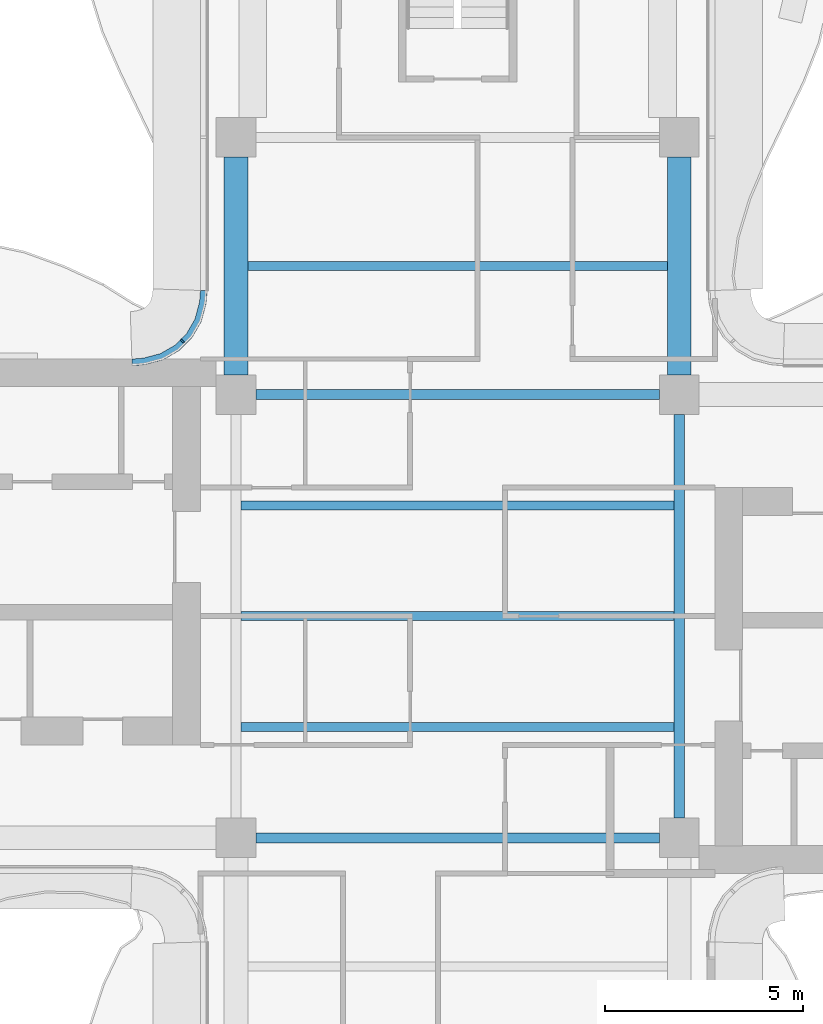
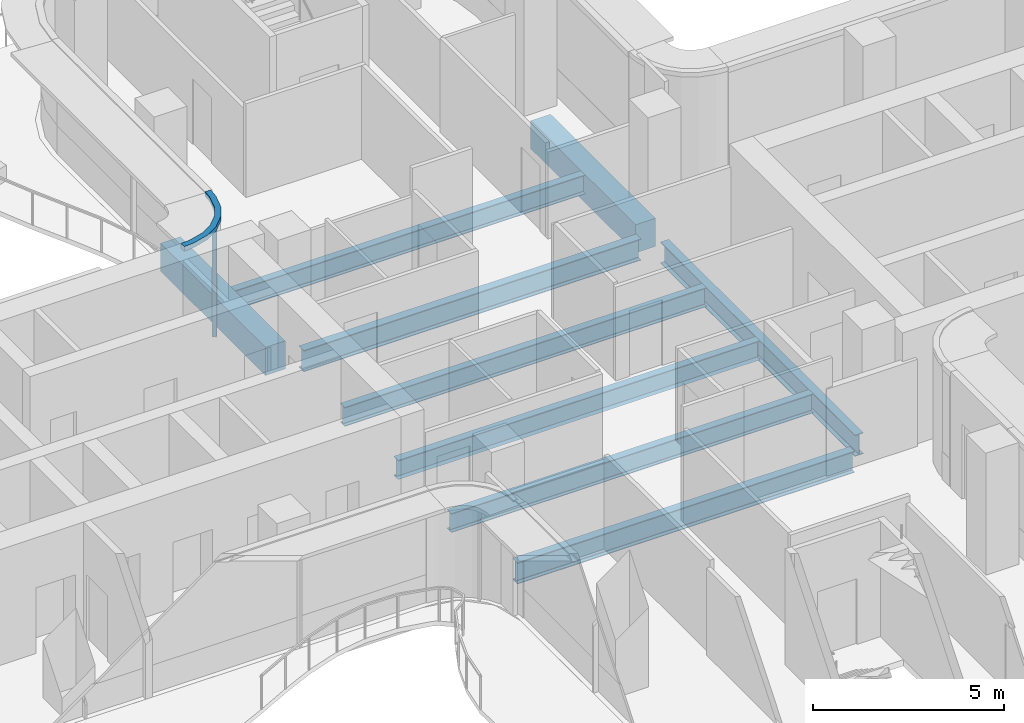
# One storey, part 4 of 16: 9 beams, 2 members, 1 element without a shape of its own.
"""IFC4 building model written with IfcOpenShell, lengths in metres."""

import ifcopenshell
import ifcopenshell.guid

model = None  # the IFC model being written
_history = None  # IfcOwnerHistory: only IFC2X3 demands one
_inside = {}  # id of a spatial element -> (the spatial element, [elements in it])
_under = {}  # id of a project, library or spatial element -> (it, [spatial elements below it])
_declared = {}  # id of a project -> (the project, [libraries it declares])
_typed = {}  # id of a type object -> (the type object, [elements of that type])
_made_of = {}  # id of a material, layer set ... -> (it, [elements and type objects made of it])


def new_model(schema):
    """Start an empty IFC model of exactly this schema.

    Asked for "IFC4X3", IfcOpenShell would pick the latest addendum, in which some entities
    have other attributes; the version numbers below select the first issue.
    IFC2X3 requires an IfcOwnerHistory on every rooted entity: one is made here for all.
    """
    global model, _history
    if schema == "IFC4X3":
        model = ifcopenshell.file(schema_version=(4, 3, 0, 0))
    else:
        model = ifcopenshell.file(schema=schema)
    _inside.clear()
    _under.clear()
    _declared.clear()
    _typed.clear()
    _made_of.clear()
    _history = None
    if model.schema == "IFC2X3":
        org = make("IfcOrganization", Name="unknown")
        user = make(
            "IfcPersonAndOrganization",
            ThePerson=make("IfcPerson", FamilyName="unknown"),
            TheOrganization=org,
        )
        app = make(
            "IfcApplication",
            ApplicationDeveloper=org,
            Version="unknown",
            ApplicationFullName="unknown",
            ApplicationIdentifier="unknown",
        )
        _history = make(
            "IfcOwnerHistory",
            OwningUser=user,
            OwningApplication=app,
            ChangeAction="ADDED",
            CreationDate=0,
        )
    return model


def make(cls, **values):
    """One entity of the class cls with the attributes given. An attribute that is None is left unset."""
    return model.create_entity(
        cls, **{name: value for name, value in values.items() if value is not None}
    )


def rooted(cls, **values):
    """An entity with a GlobalId (a new one), such as an element, a storey or a relation."""
    return make(cls, GlobalId=ifcopenshell.guid.new(), OwnerHistory=_history, **values)


def si_unit(unit_type, name, prefix=None):
    """IfcSIUnit, for example si_unit("LENGTHUNIT", "METRE", prefix="MILLI")."""
    return make("IfcSIUnit", UnitType=unit_type, Prefix=prefix, Name=name)


def assignment(units):
    """IfcUnitAssignment: the units of a project."""
    return None if units is None else make("IfcUnitAssignment", Units=units)


def point(xyz):
    """IfcCartesianPoint."""
    return None if xyz is None else make("IfcCartesianPoint", Coordinates=xyz)


def direction(xyz):
    """IfcDirection."""
    return None if xyz is None else make("IfcDirection", DirectionRatios=xyz)


def frame(location, z_axis=None, x_axis=None):
    """IfcAxis2Placement3D, a coordinate frame: its origin and axes. An axis left out is left unset."""
    return make(
        "IfcAxis2Placement3D",
        Location=point(location),
        Axis=direction(z_axis),
        RefDirection=direction(x_axis),
    )


def frame_2d(location, x_axis=None):
    """IfcAxis2Placement2D, a coordinate frame in the plane: its origin and x axis."""
    return make(
        "IfcAxis2Placement2D", Location=point(location), RefDirection=direction(x_axis)
    )


def origin():
    """The frame at (0, 0, 0) with its axes left unset."""
    return frame((0.0, 0.0, 0.0))


def origin_2d():
    """The frame at (0, 0) in the plane with its x axis left unset."""
    return frame_2d((0.0, 0.0))


def place(relative_to, where):
    """IfcLocalPlacement: puts the frame where relative to a parent placement (None: the world)."""
    return make(
        "IfcLocalPlacement", PlacementRelTo=relative_to, RelativePlacement=where
    )


def context(
    kind, dimensions, precision=None, world=None, true_north=None, identifier=None
):
    """IfcGeometricRepresentationContext, for example the 3D "Model" context."""
    return make(
        "IfcGeometricRepresentationContext",
        ContextIdentifier=identifier,
        ContextType=kind,
        CoordinateSpaceDimension=dimensions,
        Precision=precision,
        WorldCoordinateSystem=world,
        TrueNorth=true_north,
    )


def subcontext(parent, identifier, kind, view, scale=None):
    """IfcGeometricRepresentationSubContext, for example "Body" below "Model"."""
    return make(
        "IfcGeometricRepresentationSubContext",
        ContextIdentifier=identifier,
        ContextType=kind,
        ParentContext=parent,
        TargetScale=scale,
        TargetView=view,
    )


def project(units=None, contexts=None):
    """IfcProject with its units and contexts."""
    return rooted(
        "IfcProject",
        Name="project",
        RepresentationContexts=contexts,
        UnitsInContext=assignment(units),
    )


def spatial(cls, under=None, at=None, **own):
    """A site, building, storey or space (cls), placed at a placement, below another one or the project."""
    s = rooted(cls, ObjectPlacement=at, **own)
    if under is not None:
        _under.setdefault(under.id(), (under, []))[1].append(s)
    return s


def polyline(points):
    """IfcPolyline through the points."""
    return make("IfcPolyline", Points=[point(p) for p in points])


def profile(cls, at=None, kind="AREA", **sizes):
    """A parametric profile (cls). Its sizes go by their IFC names, for example OverallWidth=200.0."""
    return make(cls, ProfileType=kind, Position=at, **sizes)


def rectangle(**sizes):
    """IfcRectangleProfileDef."""
    return profile("IfcRectangleProfileDef", **sizes)


def i_section(**sizes):
    """IfcIShapeProfileDef."""
    return profile("IfcIShapeProfileDef", **sizes)


def outline(outer, holes=None, kind="AREA"):
    """IfcArbitraryClosedProfileDef: a profile drawn as a closed curve; with holes, ...WithVoids."""
    if holes is None:
        return make("IfcArbitraryClosedProfileDef", ProfileType=kind, OuterCurve=outer)
    return make(
        "IfcArbitraryProfileDefWithVoids",
        ProfileType=kind,
        OuterCurve=outer,
        InnerCurves=holes,
    )


def extrude(swept, where, along, depth):
    """IfcExtrudedAreaSolid: the profile swept, set in the frame where, extruded along a direction by depth."""
    return make(
        "IfcExtrudedAreaSolid",
        SweptArea=swept,
        Position=where,
        ExtrudedDirection=direction(along),
        Depth=depth,
    )


def shape(context_of_items, identifier, shape_type, items):
    """IfcShapeRepresentation: the items that make up one representation, for example the "Body"."""
    return make(
        "IfcShapeRepresentation",
        ContextOfItems=context_of_items,
        RepresentationIdentifier=identifier,
        RepresentationType=shape_type,
        Items=items,
    )


def source(mapping_origin, context_of_items, identifier, shape_type, items):
    """IfcRepresentationMap: a shape defined once, which mapped items show again and again."""
    return make(
        "IfcRepresentationMap",
        MappingOrigin=mapping_origin,
        MappedRepresentation=shape(context_of_items, identifier, shape_type, items),
    )


def transform(
    local_origin,
    x_axis=None,
    y_axis=None,
    z_axis=None,
    scale=None,
    scale2=None,
    scale3=None,
    uniform=True,
):
    """IfcCartesianTransformationOperator3D, or its non-uniform kind. x_axis, y_axis, z_axis: its Axis1, 2, 3."""
    if uniform:
        return make(
            "IfcCartesianTransformationOperator3D",
            Axis1=direction(x_axis),
            Axis2=direction(y_axis),
            LocalOrigin=point(local_origin),
            Scale=scale,
            Axis3=direction(z_axis),
        )
    return make(
        "IfcCartesianTransformationOperator3DnonUniform",
        Axis1=direction(x_axis),
        Axis2=direction(y_axis),
        LocalOrigin=point(local_origin),
        Scale=scale,
        Axis3=direction(z_axis),
        Scale2=scale2,
        Scale3=scale3,
    )


def mapped(mapping_source, mapping_target):
    """IfcMappedItem: shows the shape of a source again, moved by a transform."""
    return make(
        "IfcMappedItem", MappingSource=mapping_source, MappingTarget=mapping_target
    )


def material(Name=None, Category=None):
    """IfcMaterial."""
    return make("IfcMaterial", Name=Name, Category=Category)


def layer(
    of_material, thickness, ventilated=None, Name=None, Category=None, Priority=None
):
    """IfcMaterialLayer: one layer of a wall or slab, of a material (None: an air gap)."""
    return make(
        "IfcMaterialLayer",
        Material=of_material,
        LayerThickness=thickness,
        IsVentilated=ventilated,
        Name=Name,
        Category=Category,
        Priority=Priority,
    )


def layer_set(layers, Name=None):
    """IfcMaterialLayerSet."""
    return make("IfcMaterialLayerSet", MaterialLayers=layers, LayerSetName=Name)


def material_profile(
    of_material, cross_section, Name=None, Category=None, Priority=None
):
    """IfcMaterialProfile: a cross section and its material."""
    return make(
        "IfcMaterialProfile",
        Name=Name,
        Material=of_material,
        Profile=cross_section,
        Priority=Priority,
        Category=Category,
    )


def profile_set(profiles, Name=None, composite=None):
    """IfcMaterialProfileSet."""
    return make(
        "IfcMaterialProfileSet",
        Name=Name,
        MaterialProfiles=profiles,
        CompositeProfile=composite,
    )


def made_of(thing, what):
    """Note that an element or type object is made of a material, layer set ...; save() writes the relation."""
    if what is not None:
        _made_of.setdefault(what.id(), (what, []))[1].append(thing)
    return thing


def type_object(cls, material=None, **own):
    """A type object (cls), such as IfcWallType, which elements share."""
    return made_of(rooted(cls, **own), material)


def element(
    cls,
    number,
    at=None,
    inside=None,
    cuts=None,
    type_object=None,
    material=None,
    context=None,
    identifier="Body",
    shape_type=None,
    held_by="IfcProductDefinitionShape",
    body=None,
    shapes=None,
    **own,
):
    """One element of the class cls, such as IfcWall. Its Tag is "e" and its number.

    at: its placement. inside: the storey or other place that contains it. cuts: it is an
    opening in that element (IfcRelVoidsElement). A single representation is given by context,
    identifier, shape_type and body (its items); several are given by shapes. held_by: the class
    of the entity that holds the representations. save() writes the other relations.
    """
    e = rooted(cls, Tag="e%d" % number, ObjectPlacement=at, **own)
    if body is not None:
        shapes = [shape(context, identifier, shape_type, body)]
    if shapes is not None:
        e.Representation = make(held_by, Representations=shapes)
    if inside is not None:
        _inside.setdefault(inside.id(), (inside, []))[1].append(e)
    if cuts is not None:
        rooted(
            "IfcRelVoidsElement", RelatingBuildingElement=cuts, RelatedOpeningElement=e
        )
    if type_object is not None:
        _typed.setdefault(type_object.id(), (type_object, []))[1].append(e)
    return made_of(e, material)


def aggregate(whole, parts):
    """IfcRelAggregates: a whole, such as a stair, and the parts it consists of."""
    return rooted("IfcRelAggregates", RelatingObject=whole, RelatedObjects=parts)


def save(model, path):
    """Write the relations noted so far, then the file.

    IfcRelAggregates (storeys below a building ...), IfcRelContainedInSpatialStructure (elements
    in a storey), IfcRelDefinesByType, IfcRelAssociatesMaterial and IfcRelDeclares: one each for
    every whole, place, type object, material and project.
    """
    for whole, parts in _under.values():
        aggregate(whole, parts)
    for where, things in _inside.values():
        rooted(
            "IfcRelContainedInSpatialStructure",
            RelatedElements=things,
            RelatingStructure=where,
        )
    for kind, things in _typed.values():
        rooted("IfcRelDefinesByType", RelatedObjects=things, RelatingType=kind)
    for what, things in _made_of.values():
        rooted("IfcRelAssociatesMaterial", RelatedObjects=things, RelatingMaterial=what)
    for by, libraries in _declared.values():
        rooted("IfcRelDeclares", RelatingContext=by, RelatedDefinitions=libraries)
    model.write(path)


model = new_model("IFC4")

# Units and contexts
model_context = context("Model", 3, precision=1e-05, world=origin(), true_north=direction((0.0, 1.0)))
body_context = subcontext(model_context, "Body", "Model", "MODEL_VIEW")
ifc_project = project(units=[si_unit("LENGTHUNIT", "METRE"), si_unit("AREAUNIT", "SQUARE_METRE"), si_unit("VOLUMEUNIT", "CUBIC_METRE"), si_unit("PLANEANGLEUNIT", "RADIAN"), si_unit("MASSUNIT", "GRAM", prefix="KILO")], contexts=[model_context])

# Site, building, storey
site_placement = place(None, origin())
site = spatial("IfcSite", under=ifc_project, at=site_placement, CompositionType="ELEMENT")
building_placement = place(site_placement, origin())
building = spatial("IfcBuilding", under=site, at=building_placement, Name="Trellis Farm Tower", CompositionType="ELEMENT")
storey_placement = place(building_placement, frame((0.0, 0.0, 314.5)))
storey = spatial("IfcBuildingStorey", under=building, at=storey_placement, Name="L71", CompositionType="ELEMENT", Elevation=314.5)

# Beams
ifc_material_1 = material(Name="Steel S355", Category="steel")
ifc_material_profile_1 = material_profile(ifc_material_1, i_section(OverallWidth=0.22900390625, OverallDepth=0.6123046875, WebThickness=0.011962890625, FlangeThickness=0.01953125, FilletRadius=0.0126953125, at=origin_2d()), Name="UB 610x229x125")
ifc_profile_set_1 = profile_set([ifc_material_profile_1], Name="Steel S355")
beam_type_1 = type_object("IfcBeamType", Name="UB 610x229x125 joist", PredefinedType="JOIST", material=ifc_profile_set_1)
shared_shape_1 = source(origin(), body_context, "Body", "SweptSolid", [
    extrude(i_section(OverallWidth=0.22900390625, OverallDepth=0.6123046875, WebThickness=0.011962890625, FlangeThickness=0.01953125, FilletRadius=0.0126953125, at=origin_2d()), origin(), (0.0, 0.0, 1.0), 10.9462890625),
])
for number, where, z_axis, x_axis, name in (
    (1, (-5.47314453125, -2.800048828125, -0.506103515625), (1.0, 0.0, 0.0), (0.0, 1.0, 0.0), "Floor beam"),
    (2, (-5.47314453125, 0.0, -0.506103515625), (1.0, 0.0, 0.0), (0.0, 1.0, 0.0), "Floor beam"),
    (3, (-5.47314453125, 2.800048828125, -0.506103515625), (1.0, 0.0, 0.0), (0.0, 1.0, 0.0), "Floor beam"),
):
    element("IfcBeam", number, at=place(storey_placement, frame(where, z_axis=z_axis, x_axis=x_axis)), inside=storey, type_object=beam_type_1, Name=name, PredefinedType="JOIST", context=body_context, shape_type="MappedRepresentation", body=[
        mapped(shared_shape_1, transform((0.0, 0.0, 0.0))),
    ])
shared_shape_2 = source(origin(), body_context, "Body", "SweptSolid", [
    extrude(i_section(OverallWidth=0.22900390625, OverallDepth=0.6123046875, WebThickness=0.011962890625, FlangeThickness=0.01953125, FilletRadius=0.0126953125, at=origin_2d()), origin(), (0.0, 0.0, 1.0), 10.60009765625),
])
beam_placement = place(storey_placement, frame((-5.300048828125, 8.85009765625, -0.506103515625), z_axis=(1.0, 0.0, 0.0), x_axis=(0.0, 1.0, 0.0)))
element("IfcBeam", 4, at=beam_placement, inside=storey, type_object=beam_type_1, Name="Floor beam", PredefinedType="JOIST", context=body_context, shape_type="MappedRepresentation", body=[
    mapped(shared_shape_2, transform((0.0, 0.0, 0.0))),
])
ifc_material_profile_2 = material_profile(ifc_material_1, i_section(OverallWidth=0.253662109375, OverallDepth=0.68359375, WebThickness=0.012451171875, FlangeThickness=0.021728515625, FilletRadius=0.01513671875, at=origin_2d()), Name="UB 686x254x140")
ifc_profile_set_2 = profile_set([ifc_material_profile_2], Name="Steel S355")
beam_type_2 = type_object("IfcBeamType", Name="UB 686x254x140", PredefinedType="BEAM", material=ifc_profile_set_2)
shared_shape_3 = source(origin(), body_context, "Body", "SweptSolid", [
    extrude(i_section(OverallWidth=0.253662109375, OverallDepth=0.68359375, WebThickness=0.012451171875, FlangeThickness=0.021728515625, FilletRadius=0.01513671875, at=origin_2d()), origin(), (0.0, 0.0, 1.0), 10.2001953125),
])
for number, where, z_axis, x_axis, name in (
    (5, (-5.10009765625, -5.60009765625, -0.541748046875), (1.0, 0.0, 0.0), (0.0, 1.0, 0.0), "Girder"),
    (6, (-5.10009765625, 5.60009765625, -0.541748046875), (1.0, 0.0, 0.0), (0.0, 1.0, 0.0), "Girder"),
    (7, (5.60009765625, -5.10009765625, -0.541748046875), (0.0, 1.0, 0.0), (-1.0, 0.0, 0.0), "Girder"),
):
    element("IfcBeam", number, at=place(storey_placement, frame(where, z_axis=z_axis, x_axis=x_axis)), inside=storey, type_object=beam_type_2, Name=name, PredefinedType="BEAM", context=body_context, shape_type="MappedRepresentation", body=[
        mapped(shared_shape_3, transform((0.0, 0.0, 0.0))),
    ])
ifc_material_2 = material(Name="Concrete C60/75", Category="concrete")
ifc_material_profile_3 = material_profile(ifc_material_2, rectangle(XDim=0.60009765625, YDim=0.89990234375, at=origin_2d()), Name="RC spandrel beam 600x900 C60/75")
ifc_profile_set_3 = profile_set([ifc_material_profile_3], Name="Concrete C60/75")
beam_type_3 = type_object("IfcBeamType", Name="RC spandrel beam 600x900 C60/75", PredefinedType="SPANDREL", material=ifc_profile_set_3)
shared_shape_4 = source(origin(), body_context, "Body", "SweptSolid", [
    extrude(rectangle(XDim=0.60009765625, YDim=0.89990234375, at=origin_2d()), origin(), (0.0, 0.0, 1.0), 5.5),
])
for number, where, z_axis, x_axis, name in (
    (8, (-5.60009765625, 6.10009765625, -0.64990234375), (0.0, 1.0, 0.0), (-1.0, 0.0, 0.0), "Girder"),
    (9, (5.60009765625, 6.10009765625, -0.64990234375), (0.0, 1.0, 0.0), (-1.0, 0.0, 0.0), "Girder"),
):
    element("IfcBeam", number, at=place(storey_placement, frame(where, z_axis=z_axis, x_axis=x_axis)), inside=storey, type_object=beam_type_3, Name=name, PredefinedType="SPANDREL", context=body_context, shape_type="MappedRepresentation", body=[
        mapped(shared_shape_4, transform((0.0, 0.0, 0.0))),
    ])

# Curtain wall, members
ifc_material_3 = material(Name="Aluminium and glass curtain wall", Category="aluminium")
ifc_layer_1 = layer(ifc_material_3, 0.166015625)
ifc_layer_set_1 = layer_set([ifc_layer_1], Name="WINTER GARDEN CURTAIN WALL CW3")
curtain_wall_type = type_object("IfcCurtainWallType", Name="WINTER GARDEN CURTAIN WALL CW3", PredefinedType="NOTDEFINED", material=ifc_layer_set_1)
curtain_wall_placement = place(storey_placement, origin())
curtain_wall = element("IfcCurtainWall", 10, at=curtain_wall_placement, inside=storey, type_object=curtain_wall_type, Name="CW3 004", PredefinedType="NOTDEFINED")
ifc_material_4 = material(Name="Aluminium extrusion 6063-T6", Category="aluminium")
ifc_layer_2 = layer(ifc_material_4, 0.169921875)
ifc_layer_set_2 = layer_set([ifc_layer_2], Name="Aluminium extrusion 6063-T6")
member_type_1 = type_object("IfcMemberType", Name="CW3 TRANSOM 170x150", PredefinedType="USERDEFINED", material=ifc_layer_set_2)
shared_shape_5 = source(origin(), body_context, "Body", "SweptSolid", [
    extrude(outline(polyline([(-6.5, 8.2314453125), (-6.513916015625, 8.01953125), (-6.527587890625, 7.91552734375), (-6.63671875, 7.508544921875), (-6.846923828125, 7.144287109375), (-7.144287109375, 6.846923828125), (-7.508544921875, 6.63671875), (-7.91552734375, 6.527587890625), (-8.01953125, 6.513916015625), (-8.2314453125, 6.5), (-8.225830078125, 6.330078125), (-8.0029296875, 6.3447265625), (-7.88232421875, 6.360595703125), (-7.44287109375, 6.478271484375), (-7.0400390625, 6.7109375), (-6.7109375, 7.0400390625), (-6.478271484375, 7.44287109375), (-6.360595703125, 7.88232421875), (-6.3447265625, 8.0029296875), (-6.330078125, 8.225830078125), (-6.5, 8.2314453125)])), origin(), (0.0, 0.0, 1.0), 0.14990234375),
])
member_1_placement = place(storey_placement, frame((0.0, 0.0, 3.550048828125)))
member_1 = element("IfcMember", 11, at=member_1_placement, type_object=member_type_1, Name="TR3 004", ObjectType="TRANSOM", PredefinedType="USERDEFINED", context=body_context, shape_type="MappedRepresentation", body=[
    mapped(shared_shape_5, transform((0.0, 0.0, 0.0))),
])
ifc_material_profile_4 = material_profile(ifc_material_4, rectangle(XDim=0.050048828125, YDim=0.1201171875, at=origin_2d()), Name="MULLION 50x120")
ifc_profile_set_4 = profile_set([ifc_material_profile_4], Name="Aluminium extrusion 6063-T6")
member_type_2 = type_object("IfcMemberType", Name="CW3 MULLION 50x120", PredefinedType="MULLION", material=ifc_profile_set_4)
shared_shape_6 = source(origin(), body_context, "Body", "SweptSolid", [
    extrude(rectangle(XDim=0.050048828125, YDim=0.1201171875, at=origin_2d()), origin(), (0.0, 0.0, 1.0), 3.550048828125),
])
member_2_placement = place(storey_placement, frame((-6.953125, 6.953125, 0.0), z_axis=(0.0, 0.0, 1.0), x_axis=(-0.707106781187, -0.707106781187, 0.0)))
member_2 = element("IfcMember", 12, at=member_2_placement, type_object=member_type_2, Name="MU3 004-01", PredefinedType="MULLION", context=body_context, shape_type="MappedRepresentation", body=[
    mapped(shared_shape_6, transform((0.0, 0.0, 0.0))),
])
aggregate(curtain_wall, [member_2, member_1])

save(model, "model.ifc")
